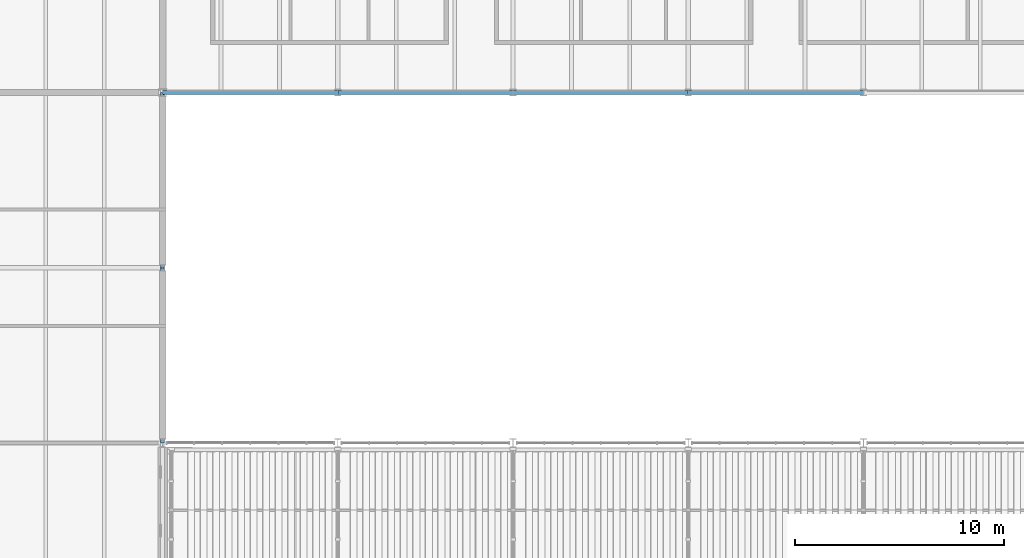
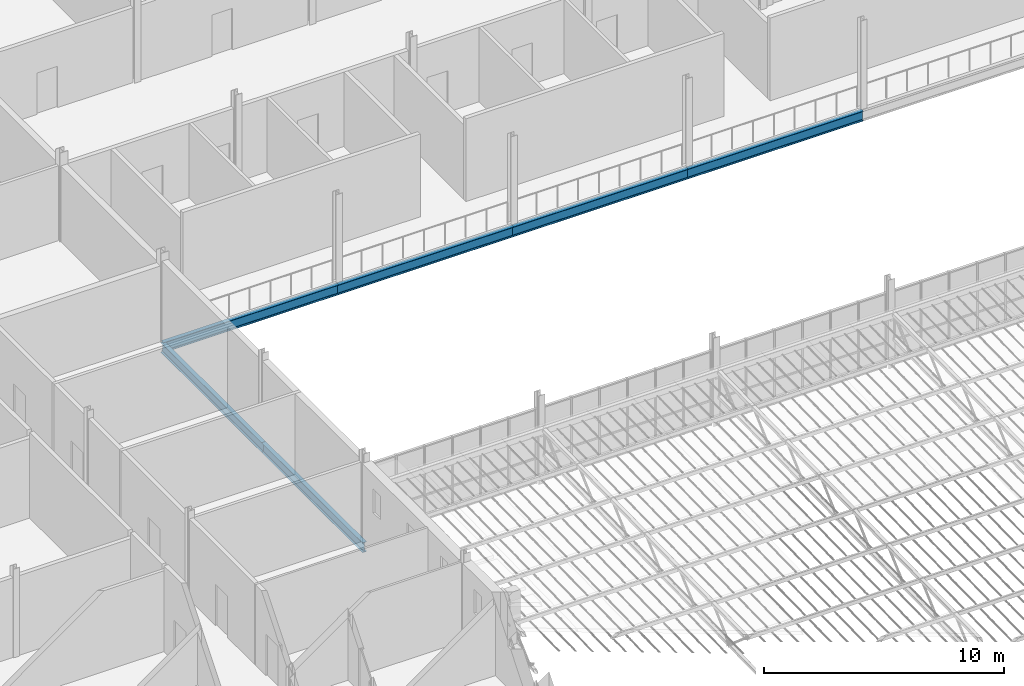
# One storey, part 25 of 129: 6 beams.
"""IFC4 building model written with IfcOpenShell, lengths in metres."""

from ifc_helpers import new_model, si_unit, direction, frame, origin, origin_2d, place, context, subcontext, project, spatial, i_section, extrude, material, material_profile, profile_set, type_object, element, save


model = new_model("IFC4")

# Units and contexts
model_context = context("Model", 3, precision=1e-05, world=origin(), true_north=direction((0.0, 1.0)))
body_context = subcontext(model_context, "Body", "Model", "MODEL_VIEW")
ifc_project = project(units=[si_unit("LENGTHUNIT", "METRE"), si_unit("AREAUNIT", "SQUARE_METRE"), si_unit("VOLUMEUNIT", "CUBIC_METRE"), si_unit("PLANEANGLEUNIT", "RADIAN"), si_unit("MASSUNIT", "GRAM", prefix="KILO")], contexts=[model_context])

# Site, building, storey
site_placement = place(None, origin())
site = spatial("IfcSite", under=ifc_project, at=site_placement, CompositionType="ELEMENT")
building_placement = place(site_placement, origin())
building = spatial("IfcBuilding", under=site, at=building_placement, Name="Ardhachandra Cancer Care Centre", CompositionType="ELEMENT")
storey_placement = place(building_placement, frame((0.0, 0.0, 4.5)))
storey = spatial("IfcBuildingStorey", under=building, at=storey_placement, Name="L01", CompositionType="ELEMENT", Elevation=4.5)

# Beams
ifc_material = material(Name="Steel E350 (IS 2062)", Category="steel")
ifc_material_profile = material_profile(ifc_material, i_section(OverallWidth=0.199951171875, OverallDepth=0.5, WebThickness=0.01025390625, FlangeThickness=0.01611328125, FilletRadius=0.02099609375, at=origin_2d()), Name="NPB 500x200x90.68")
ifc_profile_set = profile_set([ifc_material_profile], Name="Steel E350 (IS 2062)")
beam_type = type_object("IfcBeamType", Name="Beam NPB 500x200x90.68", PredefinedType="BEAM", material=ifc_profile_set)
beam_1_placement = place(storey_placement, frame((44.39990234375, 71.39990234375, -0.39990234375), z_axis=(1.0, 0.0, 0.0), x_axis=(0.0, 1.0, 0.0)))
element("IfcBeam", 1, at=beam_1_placement, inside=storey, type_object=beam_type, Name="Edge girder H5-H6", PredefinedType="BEAM", context=body_context, shape_type="SweptSolid", body=[
    extrude(i_section(OverallWidth=0.199951171875, OverallDepth=0.5, WebThickness=0.01025390625, FlangeThickness=0.01611328125, FilletRadius=0.02099609375, at=origin_2d()), origin(), (0.0, 0.0, 1.0), 8.400146484375),
])
beam_2_placement = place(storey_placement, frame((52.800048828125, 71.39990234375, -0.39990234375), z_axis=(1.0, 0.0, 0.0), x_axis=(0.0, 1.0, 0.0)))
element("IfcBeam", 2, at=beam_2_placement, inside=storey, type_object=beam_type, Name="Edge girder H6-H7", PredefinedType="BEAM", context=body_context, shape_type="SweptSolid", body=[
    extrude(i_section(OverallWidth=0.199951171875, OverallDepth=0.5, WebThickness=0.01025390625, FlangeThickness=0.01611328125, FilletRadius=0.02099609375, at=origin_2d()), origin(), (0.0, 0.0, 1.0), 8.39990234375),
])
beam_3_placement = place(storey_placement, frame((61.199951171875, 71.39990234375, -0.39990234375), z_axis=(1.0, 0.0, 0.0), x_axis=(0.0, 1.0, 0.0)))
element("IfcBeam", 3, at=beam_3_placement, inside=storey, type_object=beam_type, Name="Edge girder H7-H8", PredefinedType="BEAM", context=body_context, shape_type="SweptSolid", body=[
    extrude(i_section(OverallWidth=0.199951171875, OverallDepth=0.5, WebThickness=0.01025390625, FlangeThickness=0.01611328125, FilletRadius=0.02099609375, at=origin_2d()), origin(), (0.0, 0.0, 1.0), 8.400146484375),
])
for number, where, z_axis, x_axis, name in (
    (4, (69.60009765625, 71.39990234375, -0.39990234375), (1.0, 0.0, 0.0), (0.0, 1.0, 0.0), "Edge girder H8-H9"),
    (5, (44.39990234375, 54.60009765625, -0.39990234375), (0.0, 1.0, 0.0), (-1.0, 0.0, 0.0), "Edge girder F5-G5"),
    (6, (44.39990234375, 63.0, -0.39990234375), (0.0, 1.0, 0.0), (-1.0, 0.0, 0.0), "Edge girder G5-H5"),
):
    element("IfcBeam", number, at=place(storey_placement, frame(where, z_axis=z_axis, x_axis=x_axis)), inside=storey, type_object=beam_type, Name=name, PredefinedType="BEAM", context=body_context, shape_type="SweptSolid", body=[
        extrude(i_section(OverallWidth=0.199951171875, OverallDepth=0.5, WebThickness=0.01025390625, FlangeThickness=0.01611328125, FilletRadius=0.02099609375, at=origin_2d()), origin(), (0.0, 0.0, 1.0), 8.39990234375),
    ])

save(model, "model.ifc")
